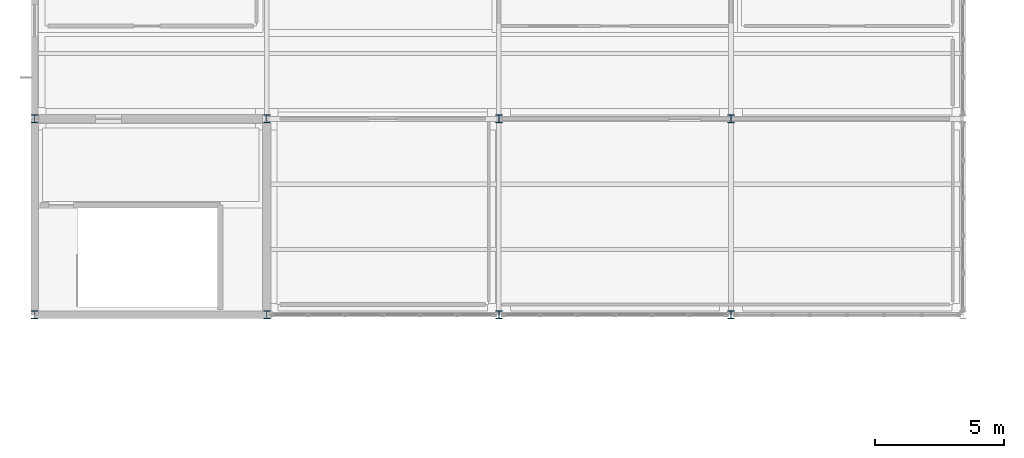
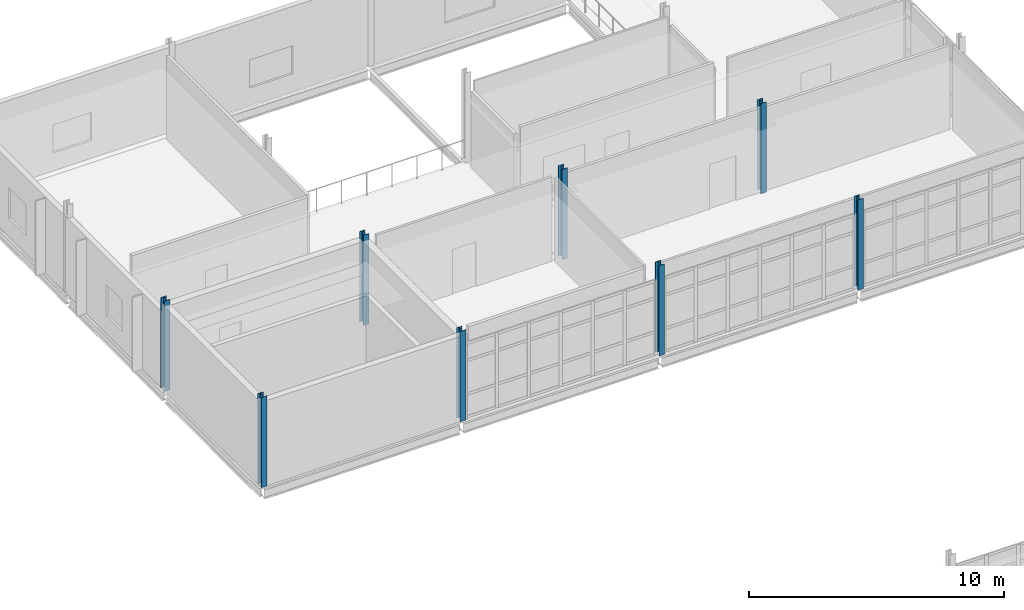
# One storey, part 14 of 174: 8 columns.
"""IFC4 building model written with IfcOpenShell, lengths in metres."""

from ifc_helpers import new_model, si_unit, direction, frame, origin, origin_2d, place, context, subcontext, project, spatial, i_section, extrude, material, material_profile, profile_set, type_object, element, save


model = new_model("IFC4")

# Units and contexts
model_context = context("Model", 3, precision=1e-05, world=origin(), true_north=direction((0.0, 1.0)))
body_context = subcontext(model_context, "Body", "Model", "MODEL_VIEW")
ifc_project = project(units=[si_unit("LENGTHUNIT", "METRE"), si_unit("AREAUNIT", "SQUARE_METRE"), si_unit("VOLUMEUNIT", "CUBIC_METRE"), si_unit("PLANEANGLEUNIT", "RADIAN"), si_unit("MASSUNIT", "GRAM", prefix="KILO")], contexts=[model_context])

# Site, building, storey
site_placement = place(None, origin())
site = spatial("IfcSite", under=ifc_project, at=site_placement, CompositionType="ELEMENT")
building_placement = place(site_placement, origin())
building = spatial("IfcBuilding", under=site, at=building_placement, Name="Caisbarro Railhouse Central Library", CompositionType="ELEMENT")
storey_placement = place(building_placement, frame((0.0, 0.0, 5.0400390625)))
storey = spatial("IfcBuildingStorey", under=building, at=storey_placement, Name="L01", CompositionType="ELEMENT", Elevation=5.0400390625)

# Columns
ifc_material = material(Name="Steel ASTM A572 Grade 50", Category="steel")
ifc_material_profile = material_profile(ifc_material, i_section(OverallWidth=0.25390625, OverallDepth=0.305908203125, WebThickness=0.0087890625, FlangeThickness=0.0146484375, FilletRadius=0.014892578125, at=origin_2d()), Name="W310X79.0")
ifc_profile_set = profile_set([ifc_material_profile], Name="Steel ASTM A572 Grade 50")
column_type = type_object("IfcColumnType", Name="COL-C07", PredefinedType="COLUMN", material=ifc_profile_set)
for number, where, z_axis, x_axis, name in (
    (1, (0.0, 83.60009765625, 0.0), (0.0, 0.0, 1.0), (1.0, 0.0, 0.0), "C07 column L01 (0.0,83.6)"),
    (2, (0.0, 91.199951171875, 0.0), (0.0, 0.0, 1.0), (1.0, 0.0, 0.0), "C07 column L01 (0.0,91.2)"),
    (3, (9.0, 83.60009765625, 0.0), (0.0, 0.0, 1.0), (1.0, 0.0, 0.0), "C07 column L01 (9.0,83.6)"),
    (4, (9.0, 91.199951171875, 0.0), (0.0, 0.0, 1.0), (1.0, 0.0, 0.0), "C07 column L01 (9.0,91.2)"),
    (5, (18.0, 83.60009765625, 0.0), (0.0, 0.0, 1.0), (1.0, 0.0, 0.0), "C07 column L01 (18.0,83.6)"),
    (6, (18.0, 91.199951171875, 0.0), (0.0, 0.0, 1.0), (1.0, 0.0, 0.0), "C07 column L01 (18.0,91.2)"),
    (7, (27.0, 83.60009765625, 0.0), (0.0, 0.0, 1.0), (1.0, 0.0, 0.0), "C07 column L01 (27.0,83.6)"),
    (8, (27.0, 91.199951171875, 0.0), (0.0, 0.0, 1.0), (1.0, 0.0, 0.0), "C07 column L01 (27.0,91.2)"),
):
    element("IfcColumn", number, at=place(storey_placement, frame(where, z_axis=z_axis, x_axis=x_axis)), inside=storey, type_object=column_type, Name=name, PredefinedType="COLUMN", context=body_context, shape_type="SweptSolid", body=[
        extrude(i_section(OverallWidth=0.25390625, OverallDepth=0.305908203125, WebThickness=0.0087890625, FlangeThickness=0.0146484375, FilletRadius=0.014892578125, at=origin_2d()), origin(), (0.0, 0.0, 1.0), 4.320068359375),
    ])

save(model, "model.ifc")
